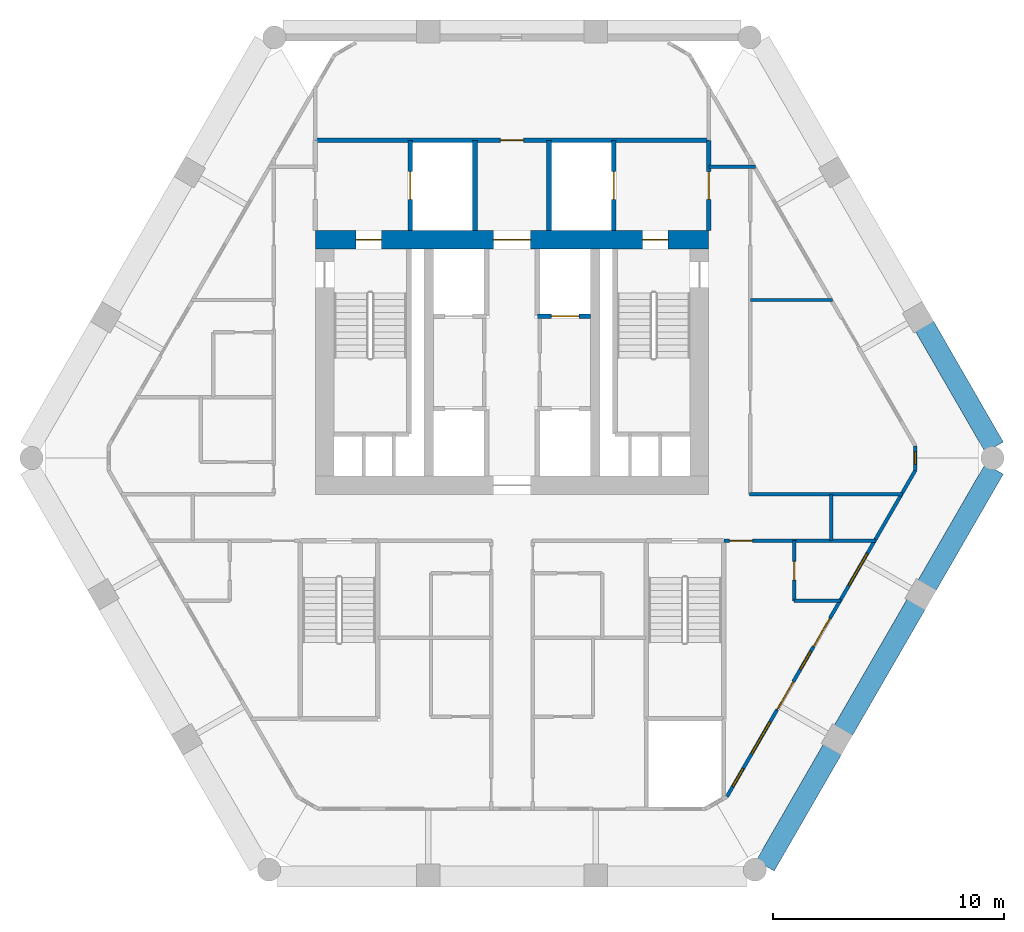
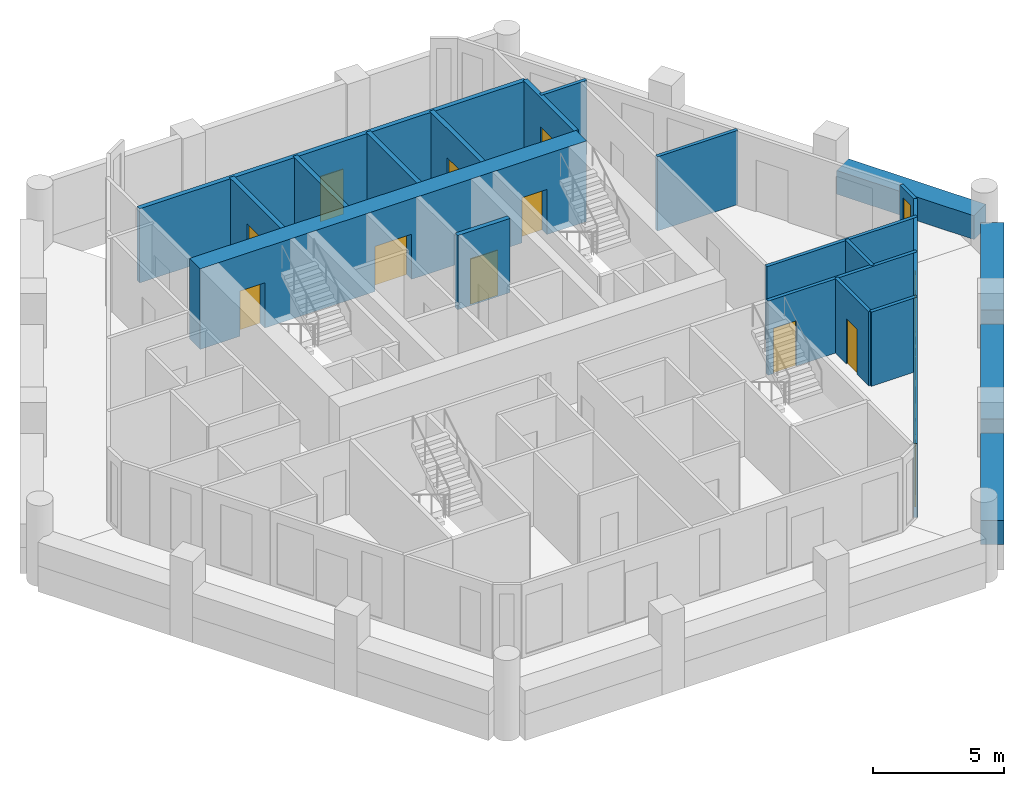
# One storey, part 5 of 7: 21 walls, 12 doors, 5 windows, 17 openings.
"""IFC4 building model written with IfcOpenShell, lengths in metres."""

import ifcopenshell
import ifcopenshell.guid

model = None  # the IFC model being written
_history = None  # IfcOwnerHistory: only IFC2X3 demands one
_inside = {}  # id of a spatial element -> (the spatial element, [elements in it])
_under = {}  # id of a project, library or spatial element -> (it, [spatial elements below it])
_declared = {}  # id of a project -> (the project, [libraries it declares])
_typed = {}  # id of a type object -> (the type object, [elements of that type])
_made_of = {}  # id of a material, layer set ... -> (it, [elements and type objects made of it])


def new_model(schema):
    """Start an empty IFC model of exactly this schema.

    Asked for "IFC4X3", IfcOpenShell would pick the latest addendum, in which some entities
    have other attributes; the version numbers below select the first issue.
    IFC2X3 requires an IfcOwnerHistory on every rooted entity: one is made here for all.
    """
    global model, _history
    if schema == "IFC4X3":
        model = ifcopenshell.file(schema_version=(4, 3, 0, 0))
    else:
        model = ifcopenshell.file(schema=schema)
    _inside.clear()
    _under.clear()
    _declared.clear()
    _typed.clear()
    _made_of.clear()
    _history = None
    if model.schema == "IFC2X3":
        org = make("IfcOrganization", Name="unknown")
        user = make(
            "IfcPersonAndOrganization",
            ThePerson=make("IfcPerson", FamilyName="unknown"),
            TheOrganization=org,
        )
        app = make(
            "IfcApplication",
            ApplicationDeveloper=org,
            Version="unknown",
            ApplicationFullName="unknown",
            ApplicationIdentifier="unknown",
        )
        _history = make(
            "IfcOwnerHistory",
            OwningUser=user,
            OwningApplication=app,
            ChangeAction="ADDED",
            CreationDate=0,
        )
    return model


def make(cls, **values):
    """One entity of the class cls with the attributes given. An attribute that is None is left unset."""
    return model.create_entity(
        cls, **{name: value for name, value in values.items() if value is not None}
    )


def rooted(cls, **values):
    """An entity with a GlobalId (a new one), such as an element, a storey or a relation."""
    return make(cls, GlobalId=ifcopenshell.guid.new(), OwnerHistory=_history, **values)


def si_unit(unit_type, name, prefix=None):
    """IfcSIUnit, for example si_unit("LENGTHUNIT", "METRE", prefix="MILLI")."""
    return make("IfcSIUnit", UnitType=unit_type, Prefix=prefix, Name=name)


def assignment(units):
    """IfcUnitAssignment: the units of a project."""
    return None if units is None else make("IfcUnitAssignment", Units=units)


def point(xyz):
    """IfcCartesianPoint."""
    return None if xyz is None else make("IfcCartesianPoint", Coordinates=xyz)


def direction(xyz):
    """IfcDirection."""
    return None if xyz is None else make("IfcDirection", DirectionRatios=xyz)


def frame(location, z_axis=None, x_axis=None):
    """IfcAxis2Placement3D, a coordinate frame: its origin and axes. An axis left out is left unset."""
    return make(
        "IfcAxis2Placement3D",
        Location=point(location),
        Axis=direction(z_axis),
        RefDirection=direction(x_axis),
    )


def frame_2d(location, x_axis=None):
    """IfcAxis2Placement2D, a coordinate frame in the plane: its origin and x axis."""
    return make(
        "IfcAxis2Placement2D", Location=point(location), RefDirection=direction(x_axis)
    )


def origin():
    """The frame at (0, 0, 0) with its axes left unset."""
    return frame((0.0, 0.0, 0.0))


def place(relative_to, where):
    """IfcLocalPlacement: puts the frame where relative to a parent placement (None: the world)."""
    return make(
        "IfcLocalPlacement", PlacementRelTo=relative_to, RelativePlacement=where
    )


def context(
    kind, dimensions, precision=None, world=None, true_north=None, identifier=None
):
    """IfcGeometricRepresentationContext, for example the 3D "Model" context."""
    return make(
        "IfcGeometricRepresentationContext",
        ContextIdentifier=identifier,
        ContextType=kind,
        CoordinateSpaceDimension=dimensions,
        Precision=precision,
        WorldCoordinateSystem=world,
        TrueNorth=true_north,
    )


def subcontext(parent, identifier, kind, view, scale=None):
    """IfcGeometricRepresentationSubContext, for example "Body" below "Model"."""
    return make(
        "IfcGeometricRepresentationSubContext",
        ContextIdentifier=identifier,
        ContextType=kind,
        ParentContext=parent,
        TargetScale=scale,
        TargetView=view,
    )


def project(units=None, contexts=None):
    """IfcProject with its units and contexts."""
    return rooted(
        "IfcProject",
        Name="project",
        RepresentationContexts=contexts,
        UnitsInContext=assignment(units),
    )


def spatial(cls, under=None, at=None, **own):
    """A site, building, storey or space (cls), placed at a placement, below another one or the project."""
    s = rooted(cls, ObjectPlacement=at, **own)
    if under is not None:
        _under.setdefault(under.id(), (under, []))[1].append(s)
    return s


def profile(cls, at=None, kind="AREA", **sizes):
    """A parametric profile (cls). Its sizes go by their IFC names, for example OverallWidth=200.0."""
    return make(cls, ProfileType=kind, Position=at, **sizes)


def rectangle(**sizes):
    """IfcRectangleProfileDef."""
    return profile("IfcRectangleProfileDef", **sizes)


def extrude(swept, where, along, depth):
    """IfcExtrudedAreaSolid: the profile swept, set in the frame where, extruded along a direction by depth."""
    return make(
        "IfcExtrudedAreaSolid",
        SweptArea=swept,
        Position=where,
        ExtrudedDirection=direction(along),
        Depth=depth,
    )


def shape(context_of_items, identifier, shape_type, items):
    """IfcShapeRepresentation: the items that make up one representation, for example the "Body"."""
    return make(
        "IfcShapeRepresentation",
        ContextOfItems=context_of_items,
        RepresentationIdentifier=identifier,
        RepresentationType=shape_type,
        Items=items,
    )


def material(Name=None, Category=None):
    """IfcMaterial."""
    return make("IfcMaterial", Name=Name, Category=Category)


def layer(
    of_material, thickness, ventilated=None, Name=None, Category=None, Priority=None
):
    """IfcMaterialLayer: one layer of a wall or slab, of a material (None: an air gap)."""
    return make(
        "IfcMaterialLayer",
        Material=of_material,
        LayerThickness=thickness,
        IsVentilated=ventilated,
        Name=Name,
        Category=Category,
        Priority=Priority,
    )


def layer_set(layers, Name=None):
    """IfcMaterialLayerSet."""
    return make("IfcMaterialLayerSet", MaterialLayers=layers, LayerSetName=Name)


def made_of(thing, what):
    """Note that an element or type object is made of a material, layer set ...; save() writes the relation."""
    if what is not None:
        _made_of.setdefault(what.id(), (what, []))[1].append(thing)
    return thing


def type_object(cls, material=None, **own):
    """A type object (cls), such as IfcWallType, which elements share."""
    return made_of(rooted(cls, **own), material)


def element(
    cls,
    number,
    at=None,
    inside=None,
    cuts=None,
    type_object=None,
    material=None,
    context=None,
    identifier="Body",
    shape_type=None,
    held_by="IfcProductDefinitionShape",
    body=None,
    shapes=None,
    **own,
):
    """One element of the class cls, such as IfcWall. Its Tag is "e" and its number.

    at: its placement. inside: the storey or other place that contains it. cuts: it is an
    opening in that element (IfcRelVoidsElement). A single representation is given by context,
    identifier, shape_type and body (its items); several are given by shapes. held_by: the class
    of the entity that holds the representations. save() writes the other relations.
    """
    e = rooted(cls, Tag="e%d" % number, ObjectPlacement=at, **own)
    if body is not None:
        shapes = [shape(context, identifier, shape_type, body)]
    if shapes is not None:
        e.Representation = make(held_by, Representations=shapes)
    if inside is not None:
        _inside.setdefault(inside.id(), (inside, []))[1].append(e)
    if cuts is not None:
        rooted(
            "IfcRelVoidsElement", RelatingBuildingElement=cuts, RelatedOpeningElement=e
        )
    if type_object is not None:
        _typed.setdefault(type_object.id(), (type_object, []))[1].append(e)
    return made_of(e, material)


def fill(opening, filler):
    """IfcRelFillsElement: the door or window that sits in an opening."""
    return rooted(
        "IfcRelFillsElement",
        RelatingOpeningElement=opening,
        RelatedBuildingElement=filler,
    )


def aggregate(whole, parts):
    """IfcRelAggregates: a whole, such as a stair, and the parts it consists of."""
    return rooted("IfcRelAggregates", RelatingObject=whole, RelatedObjects=parts)


def save(model, path):
    """Write the relations noted so far, then the file.

    IfcRelAggregates (storeys below a building ...), IfcRelContainedInSpatialStructure (elements
    in a storey), IfcRelDefinesByType, IfcRelAssociatesMaterial and IfcRelDeclares: one each for
    every whole, place, type object, material and project.
    """
    for whole, parts in _under.values():
        aggregate(whole, parts)
    for where, things in _inside.values():
        rooted(
            "IfcRelContainedInSpatialStructure",
            RelatedElements=things,
            RelatingStructure=where,
        )
    for kind, things in _typed.values():
        rooted("IfcRelDefinesByType", RelatedObjects=things, RelatingType=kind)
    for what, things in _made_of.values():
        rooted("IfcRelAssociatesMaterial", RelatedObjects=things, RelatingMaterial=what)
    for by, libraries in _declared.values():
        rooted("IfcRelDeclares", RelatingContext=by, RelatedDefinitions=libraries)
    model.write(path)


model = new_model("IFC4")

# Units and contexts
model_context = context("Model", 3, precision=1e-05, world=origin(), true_north=direction((0.0, 1.0)))
body_context = subcontext(model_context, "Body", "Model", "MODEL_VIEW")
ifc_project = project(units=[si_unit("LENGTHUNIT", "METRE"), si_unit("AREAUNIT", "SQUARE_METRE"), si_unit("VOLUMEUNIT", "CUBIC_METRE"), si_unit("PLANEANGLEUNIT", "RADIAN"), si_unit("MASSUNIT", "GRAM", prefix="KILO")], contexts=[model_context])

# Site, building, storey
site_placement = place(None, origin())
site = spatial("IfcSite", under=ifc_project, at=site_placement, CompositionType="ELEMENT")
building_placement = place(site_placement, origin())
building = spatial("IfcBuilding", under=site, at=building_placement, Name="Ostrander Bayou Hotel Tower", CompositionType="ELEMENT")
storey_placement = place(building_placement, frame((0.0, 0.0, 157.0)))
storey = spatial("IfcBuildingStorey", under=building, at=storey_placement, Name="L38", CompositionType="ELEMENT", Elevation=157.0)

# Wall, openings, doors
ifc_material_1 = material(Name="Concrete f'c 60 MPa", Category="concrete")
ifc_layer_1 = layer(ifc_material_1, 0.800048828125)
ifc_layer_set_1 = layer_set([ifc_layer_1], Name="CW7 core wall 800 mm f'c 60 MPa")
wall_type_1 = type_object("IfcWallType", Name="CW7 core wall 800 mm f'c 60 MPa", PredefinedType="SHEAR", material=ifc_layer_set_1)
wall_1_placement = place(storey_placement, frame((-8.5, 9.300048828125, -0.300048828125), z_axis=(0.0, 0.0, 1.0), x_axis=(1.0, 0.0, 0.0)))
wall_1 = element("IfcWall", 1, at=wall_1_placement, inside=storey, type_object=wall_type_1, Name="CW7 L38 N", PredefinedType="SHEAR", context=body_context, shape_type="SweptSolid", body=[
    extrude(rectangle(XDim=17.0, YDim=0.800048828125, at=frame_2d((8.5, 0.0))), origin(), (0.0, 0.0, 1.0), 3.75),
])
opening_1_placement = place(wall_1_placement, frame((7.699951171875, 0.0, 0.0)))
opening_1 = element("IfcOpeningElement", 2, at=opening_1_placement, cuts=wall_1, Name="Opening T38-006", PredefinedType="OPENING", context=body_context, shape_type="SweptSolid", body=[
    extrude(rectangle(XDim=1.60009765625, YDim=2.10009765625, at=frame_2d((0.800048828125, 1.050048828125))), frame((0.0, 0.39990234375, 0.0), z_axis=(0.0, -1.0, 0.0), x_axis=(1.0, 0.0, 0.0)), (0.0, 0.0, 1.0), 0.800048828125),
])
opening_2_placement = place(wall_1_placement, frame((1.75, 0.0, 0.0)))
opening_2 = element("IfcOpeningElement", 3, at=opening_2_placement, cuts=wall_1, Name="Opening T38-007", PredefinedType="OPENING", context=body_context, shape_type="SweptSolid", body=[
    extrude(rectangle(XDim=1.10009765625, YDim=2.10009765625, at=frame_2d((0.550048828125, 1.050048828125))), frame((0.0, 0.39990234375, 0.0), z_axis=(0.0, -1.0, 0.0), x_axis=(1.0, 0.0, 0.0)), (0.0, 0.0, 1.0), 0.800048828125),
])
opening_3_placement = place(wall_1_placement, frame((14.14990234375, 0.0, 0.0)))
opening_3 = element("IfcOpeningElement", 4, at=opening_3_placement, cuts=wall_1, Name="Opening T38-009", PredefinedType="OPENING", context=body_context, shape_type="SweptSolid", body=[
    extrude(rectangle(XDim=1.10009765625, YDim=2.10009765625, at=frame_2d((0.550048828125, 1.050048828125))), frame((0.0, 0.39990234375, 0.0), z_axis=(0.0, -1.0, 0.0), x_axis=(1.0, 0.0, 0.0)), (0.0, 0.0, 1.0), 0.800048828125),
])
ifc_material_2 = material(Name="Timber door leaf", Category="wood")
door_type_1 = type_object("IfcDoorType", Name="D13 double door 1600 x 2100 mm, 1 hour", OperationType="SINGLE_SWING_LEFT", PredefinedType="DOOR", material=ifc_material_2)
door_1_placement = place(opening_1_placement, origin())
door_1 = element("IfcDoor", 5, at=door_1_placement, inside=storey, type_object=door_type_1, Name="dr:L38:006", OperationType="DOUBLE_DOOR_SINGLE_SWING", OverallHeight=2.10009765625, OverallWidth=1.60009765625, PredefinedType="DOOR", context=body_context, shape_type="SweptSolid", body=[
    extrude(rectangle(XDim=1.60009765625, YDim=2.10009765625, at=frame_2d((0.800048828125, 1.050048828125))), frame((0.0, 0.02490234375, 0.0), z_axis=(0.0, -1.0, 0.0), x_axis=(1.0, 0.0, 0.0)), (0.0, 0.0, 1.0), 0.050048828125),
])
fill(opening_1, door_1)
ifc_material_3 = material(Name="Timber door leaf", Category="wood")
door_type_2 = type_object("IfcDoorType", Name="D5 stair door 1100 x 2100 mm, 90 minute", OperationType="SINGLE_SWING_LEFT", PredefinedType="DOOR", material=ifc_material_3)
door_2_placement = place(opening_2_placement, origin())
door_2 = element("IfcDoor", 6, at=door_2_placement, inside=storey, type_object=door_type_2, Name="dr:L38:007", OperationType="SINGLE_SWING_LEFT", OverallHeight=2.10009765625, OverallWidth=1.10009765625, PredefinedType="DOOR", context=body_context, shape_type="SweptSolid", body=[
    extrude(rectangle(XDim=1.10009765625, YDim=2.10009765625, at=frame_2d((0.550048828125, 1.050048828125))), frame((0.0, 0.02490234375, 0.0), z_axis=(0.0, -1.0, 0.0), x_axis=(1.0, 0.0, 0.0)), (0.0, 0.0, 1.0), 0.050048828125),
])
fill(opening_2, door_2)
door_3_placement = place(opening_3_placement, origin())
door_3 = element("IfcDoor", 7, at=door_3_placement, inside=storey, type_object=door_type_2, Name="dr:L38:009", OperationType="SINGLE_SWING_RIGHT", OverallHeight=2.10009765625, OverallWidth=1.10009765625, PredefinedType="DOOR", context=body_context, shape_type="SweptSolid", body=[
    extrude(rectangle(XDim=1.10009765625, YDim=2.10009765625, at=frame_2d((0.550048828125, 1.050048828125))), frame((0.0, 0.02490234375, 0.0), z_axis=(0.0, -1.0, 0.0), x_axis=(1.0, 0.0, 0.0)), (0.0, 0.0, 1.0), 0.050048828125),
])
fill(opening_3, door_3)

# Wall, openings, doors, windows
ifc_material_4 = material(Name="Aluminium framed insulated wall", Category="aluminium")
ifc_layer_2 = layer(ifc_material_4, 0.14990234375)
ifc_layer_set_2 = layer_set([ifc_layer_2], Name="GW1 glass-line wall 150 mm")
wall_type_2 = type_object("IfcWallType", Name="GW1 glass-line wall 150 mm", PredefinedType="SOLIDWALL", material=ifc_layer_set_2)
wall_2_placement = place(storey_placement, frame((9.288818359375, -14.76171875, 0.0), z_axis=(0.0, 0.0, 1.0), x_axis=(0.499985985267, 0.866033495043, 0.0)))
wall_2 = element("IfcWall", 8, at=wall_2_placement, inside=storey, type_object=wall_type_2, Name="GW1 L38 SE 1", PredefinedType="SOLIDWALL", context=body_context, shape_type="SweptSolid", body=[
    extrude(rectangle(XDim=16.279296875, YDim=0.14990234375, at=frame_2d((8.1396484375, 0.0))), origin(), (0.0, 0.0, 1.0), 3.449951171875),
])
opening_4_placement = place(wall_2_placement, frame((2.1396484375, 0.0, 0.14990234375)))
opening_4 = element("IfcOpeningElement", 9, at=opening_4_placement, cuts=wall_2, Name="Opening W3", PredefinedType="OPENING", context=body_context, shape_type="SweptSolid", body=[
    extrude(rectangle(XDim=1.60009765625, YDim=2.85009765625, at=frame_2d((0.800048828125, 1.425048828125))), frame((0.0, 0.074951171875, 0.0), z_axis=(0.0, -1.0, 0.0), x_axis=(1.0, 0.0, 0.0)), (0.0, 0.0, 1.0), 0.14990234375),
])
opening_5_placement = place(wall_2_placement, frame((4.339599609375, 0.0, 0.0)))
opening_5 = element("IfcOpeningElement", 10, at=opening_5_placement, cuts=wall_2, Name="Opening T38-804", PredefinedType="OPENING", context=body_context, shape_type="SweptSolid", body=[
    extrude(rectangle(XDim=1.39990234375, YDim=2.39990234375, at=frame_2d((0.699951171875, 1.199951171875))), frame((0.0, 0.074951171875, 0.0), z_axis=(0.0, -1.0, 0.0), x_axis=(1.0, 0.0, 0.0)), (0.0, 0.0, 1.0), 0.14990234375),
])
opening_6_placement = place(wall_2_placement, frame((6.339599609375, 0.0, 0.14990234375)))
opening_6 = element("IfcOpeningElement", 11, at=opening_6_placement, cuts=wall_2, Name="Opening W17", PredefinedType="OPENING", context=body_context, shape_type="SweptSolid", body=[
    extrude(rectangle(XDim=0.89990234375, YDim=2.85009765625, at=frame_2d((0.449951171875, 1.425048828125))), frame((0.0, 0.074951171875, 0.0), z_axis=(0.0, -1.0, 0.0), x_axis=(1.0, 0.0, 0.0)), (0.0, 0.0, 1.0), 0.14990234375),
])
opening_7_placement = place(wall_2_placement, frame((7.49658203125, 0.0, 0.0)))
opening_7 = element("IfcOpeningElement", 12, at=opening_7_placement, cuts=wall_2, Name="Opening T38-805", PredefinedType="OPENING", context=body_context, shape_type="SweptSolid", body=[
    extrude(rectangle(XDim=1.39990234375, YDim=2.39990234375, at=frame_2d((0.699951171875, 1.199951171875))), frame((0.0, 0.074951171875, 0.0), z_axis=(0.0, -1.0, 0.0), x_axis=(1.0, 0.0, 0.0)), (0.0, 0.0, 1.0), 0.14990234375),
])
opening_8_placement = place(wall_2_placement, frame((10.53955078125, 0.0, 0.14990234375)))
opening_8 = element("IfcOpeningElement", 13, at=opening_8_placement, cuts=wall_2, Name="Opening W3", PredefinedType="OPENING", context=body_context, shape_type="SweptSolid", body=[
    extrude(rectangle(XDim=1.60009765625, YDim=2.85009765625, at=frame_2d((0.800048828125, 1.425048828125))), frame((0.0, 0.074951171875, 0.0), z_axis=(0.0, -1.0, 0.0), x_axis=(1.0, 0.0, 0.0)), (0.0, 0.0, 1.0), 0.14990234375),
])
opening_9_placement = place(wall_2_placement, frame((0.501708984375, 0.0, 0.14990234375)))
opening_9 = element("IfcOpeningElement", 14, at=opening_9_placement, cuts=wall_2, Name="Opening W17", PredefinedType="OPENING", context=body_context, shape_type="SweptSolid", body=[
    extrude(rectangle(XDim=0.89990234375, YDim=2.72998046875, at=frame_2d((0.449951171875, 1.364990234375))), frame((0.0, 0.074951171875, 0.0), z_axis=(0.0, -1.0, 0.0), x_axis=(1.0, 0.0, 0.0)), (0.0, 0.0, 1.0), 0.14990234375),
])
ifc_material_5 = material(Name="Aluminium and clear glass", Category="aluminium")
door_type_3 = type_object("IfcDoorType", Name="SD3 sliding glass door 1400 mm, zone 3", OperationType="SLIDING_TO_LEFT", PredefinedType="DOOR", material=ifc_material_5)
door_4_placement = place(opening_5_placement, origin())
door_4 = element("IfcDoor", 15, at=door_4_placement, inside=storey, type_object=door_type_3, Name="SD3 L38 SE 1", OperationType="SLIDING_TO_LEFT", OverallHeight=2.39990234375, OverallWidth=1.39990234375, PredefinedType="DOOR", context=body_context, shape_type="SweptSolid", body=[
    extrude(rectangle(XDim=1.39990234375, YDim=2.39990234375, at=frame_2d((0.699951171875, 1.199951171875))), frame((0.0, 0.02490234375, 0.0), z_axis=(0.0, -1.0, 0.0), x_axis=(1.0, 0.0, 0.0)), (0.0, 0.0, 1.0), 0.050048828125),
])
fill(opening_5, door_4)
door_5_placement = place(opening_7_placement, origin())
door_5 = element("IfcDoor", 16, at=door_5_placement, inside=storey, type_object=door_type_3, Name="SD3 L38 SE 2", OperationType="SLIDING_TO_RIGHT", OverallHeight=2.39990234375, OverallWidth=1.39990234375, PredefinedType="DOOR", context=body_context, shape_type="SweptSolid", body=[
    extrude(rectangle(XDim=1.39990234375, YDim=2.39990234375, at=frame_2d((0.699951171875, 1.199951171875))), frame((0.0, 0.02490234375, 0.0), z_axis=(0.0, -1.0, 0.0), x_axis=(1.0, 0.0, 0.0)), (0.0, 0.0, 1.0), 0.050048828125),
])
fill(opening_7, door_5)
ifc_material_6 = material(Name="Aluminium and clear glass", Category="aluminium")
window_type_1 = type_object("IfcWindowType", Name="W17 window 900 mm, zone 3", PartitioningType="SINGLE_PANEL", PredefinedType="WINDOW", material=ifc_material_6)
window_1_placement = place(opening_6_placement, origin())
window_1 = element("IfcWindow", 17, at=window_1_placement, inside=storey, type_object=window_type_1, Name="W17 L38 SE 2", OverallHeight=2.85009765625, OverallWidth=0.89990234375, PartitioningType="SINGLE_PANEL", PredefinedType="WINDOW", context=body_context, shape_type="SweptSolid", body=[
    extrude(rectangle(XDim=0.89990234375, YDim=2.85009765625, at=frame_2d((0.449951171875, 1.425048828125))), frame((0.0, 0.030029296875, 0.0), z_axis=(0.0, -1.0, 0.0), x_axis=(1.0, 0.0, 0.0)), (0.0, 0.0, 1.0), 0.06005859375),
])
fill(opening_6, window_1)
window_2_placement = place(opening_9_placement, origin())
window_2 = element("IfcWindow", 18, at=window_2_placement, inside=storey, type_object=window_type_1, Name="W17 L38 SE E11", OverallHeight=2.72998046875, OverallWidth=0.89990234375, PartitioningType="SINGLE_PANEL", PredefinedType="WINDOW", context=body_context, shape_type="SweptSolid", body=[
    extrude(rectangle(XDim=0.89990234375, YDim=2.72998046875, at=frame_2d((0.449951171875, 1.364990234375))), frame((0.0, 0.030029296875, 0.0), z_axis=(0.0, -1.0, 0.0), x_axis=(1.0, 0.0, 0.0)), (0.0, 0.0, 1.0), 0.06005859375),
])
fill(opening_9, window_2)
ifc_material_7 = material(Name="Aluminium and clear glass", Category="aluminium")
window_type_2 = type_object("IfcWindowType", Name="W3 fixed window 1600 mm, zone 3", PartitioningType="SINGLE_PANEL", PredefinedType="WINDOW", material=ifc_material_7)
window_3_placement = place(opening_4_placement, origin())
window_3 = element("IfcWindow", 19, at=window_3_placement, inside=storey, type_object=window_type_2, Name="W3 L38 SE 1", OverallHeight=2.85009765625, OverallWidth=1.60009765625, PartitioningType="SINGLE_PANEL", PredefinedType="WINDOW", context=body_context, shape_type="SweptSolid", body=[
    extrude(rectangle(XDim=1.60009765625, YDim=2.85009765625, at=frame_2d((0.800048828125, 1.425048828125))), frame((0.0, 0.030029296875, 0.0), z_axis=(0.0, -1.0, 0.0), x_axis=(1.0, 0.0, 0.0)), (0.0, 0.0, 1.0), 0.06005859375),
])
fill(opening_4, window_3)
window_4_placement = place(opening_8_placement, origin())
window_4 = element("IfcWindow", 20, at=window_4_placement, inside=storey, type_object=window_type_2, Name="W3 L38 SE 3", OverallHeight=2.85009765625, OverallWidth=1.60009765625, PartitioningType="SINGLE_PANEL", PredefinedType="WINDOW", context=body_context, shape_type="SweptSolid", body=[
    extrude(rectangle(XDim=1.60009765625, YDim=2.85009765625, at=frame_2d((0.800048828125, 1.425048828125))), frame((0.0, 0.030029296875, 0.0), z_axis=(0.0, -1.0, 0.0), x_axis=(1.0, 0.0, 0.0)), (0.0, 0.0, 1.0), 0.06005859375),
])
fill(opening_8, window_4)

# Wall, opening, window
wall_3_placement = place(storey_placement, frame((17.42822265625, -0.663330078125, 0.0), z_axis=(0.0, 0.0, 1.0), x_axis=(0.0, 1.0, 0.0)))
wall_3 = element("IfcWall", 21, at=wall_3_placement, inside=storey, type_object=wall_type_2, Name="GW1 L38 corner 5", PredefinedType="SOLIDWALL", context=body_context, shape_type="SweptSolid", body=[
    extrude(rectangle(XDim=1.06494140625, YDim=0.14990234375, at=frame_2d((0.532470703125, 0.0))), origin(), (0.0, 0.0, 1.0), 3.449951171875),
])
opening_10_placement = place(wall_3_placement, frame((0.257568359375, 0.0, 0.14990234375)))
opening_10 = element("IfcOpeningElement", 22, at=opening_10_placement, cuts=wall_3, Name="Opening W19", PredefinedType="OPENING", context=body_context, shape_type="SweptSolid", body=[
    extrude(rectangle(XDim=0.550048828125, YDim=2.85009765625, at=frame_2d((0.27490234375, 1.425048828125))), frame((0.0, 0.074951171875, 0.0), z_axis=(0.0, -1.0, 0.0), x_axis=(1.0, 0.0, 0.0)), (0.0, 0.0, 1.0), 0.14990234375),
])
ifc_material_8 = material(Name="Aluminium and clear glass", Category="aluminium")
window_type_3 = type_object("IfcWindowType", Name="W19 corner window 550 mm", PartitioningType="SINGLE_PANEL", PredefinedType="WINDOW", material=ifc_material_8)
window_5_placement = place(opening_10_placement, origin())
window_5 = element("IfcWindow", 23, at=window_5_placement, inside=storey, type_object=window_type_3, Name="W19 L38 corner 5", OverallHeight=2.85009765625, OverallWidth=0.550048828125, PartitioningType="SINGLE_PANEL", PredefinedType="WINDOW", context=body_context, shape_type="SweptSolid", body=[
    extrude(rectangle(XDim=0.550048828125, YDim=2.85009765625, at=frame_2d((0.27490234375, 1.425048828125))), frame((0.0, 0.030029296875, 0.0), z_axis=(0.0, -1.0, 0.0), x_axis=(1.0, 0.0, 0.0)), (0.0, 0.0, 1.0), 0.06005859375),
])
fill(opening_10, window_5)

# Walls
ifc_material_9 = material(Name="Concrete f'c 40 MPa", Category="concrete")
ifc_layer_3 = layer(ifc_material_9, 0.89990234375)
ifc_layer_set_3 = layer_set([ifc_layer_3], Name="PA1 stone-faced parapet 900 mm")
wall_type_3 = type_object("IfcWallType", Name="PA1 stone-faced parapet 900 mm", PredefinedType="PARAPET", material=ifc_layer_set_3)
wall_4_placement = place(storey_placement, frame((20.842041015625, 0.3388671875, 0.0), z_axis=(0.0, 0.0, 1.0), x_axis=(-0.500012890865, 0.866017961112, 0.0)))
element("IfcWall", 24, at=wall_4_placement, inside=storey, type_object=wall_type_3, Name="PA1 L38 NE-1", PredefinedType="PARAPET", context=body_context, shape_type="SweptSolid", body=[
    extrude(rectangle(XDim=6.039306640625, YDim=0.89990234375, at=frame_2d((3.01953125, 0.0))), origin(), (0.0, 0.0, 1.0), 1.10009765625),
])
ifc_material_10 = material(Name="Limestone masonry", Category="masonry")
ifc_layer_4 = layer(ifc_material_10, 0.89990234375)
ifc_layer_set_4 = layer_set([ifc_layer_4], Name="PA2 limestone parapet 900 mm")
wall_type_4 = type_object("IfcWallType", Name="PA2 limestone parapet 900 mm", PredefinedType="PARAPET", material=ifc_layer_set_4)
wall_5_placement = place(storey_placement, frame((10.941162109375, -17.74951171875, 0.0), z_axis=(0.0, 0.0, 1.0), x_axis=(0.499969679245, 0.866042908773, 0.0)))
element("IfcWall", 25, at=wall_5_placement, inside=storey, type_object=wall_type_4, Name="PA2 L38 SE-1", PredefinedType="PARAPET", context=body_context, shape_type="SweptSolid", body=[
    extrude(rectangle(XDim=5.812744140625, YDim=0.89990234375, at=frame_2d((2.90625, 0.0))), origin(), (0.0, 0.0, 1.0), 1.10009765625),
])
wall_6_placement = place(storey_placement, frame((14.3173828125, -11.9013671875, 0.0), z_axis=(0.0, 0.0, 1.0), x_axis=(0.500013351051, 0.866017695414, 0.0)))
element("IfcWall", 26, at=wall_6_placement, inside=storey, type_object=wall_type_4, Name="PA2 L38 SE-2", PredefinedType="PARAPET", context=body_context, shape_type="SweptSolid", body=[
    extrude(rectangle(XDim=6.296142578125, YDim=0.89990234375, at=frame_2d((3.14794921875, 0.0))), origin(), (0.0, 0.0, 1.0), 1.10009765625),
])
wall_7_placement = place(storey_placement, frame((17.935546875, -5.634521484375, 0.0), z_axis=(0.0, 0.0, 1.0), x_axis=(0.500019366424, 0.866014222285, 0.0)))
element("IfcWall", 27, at=wall_7_placement, inside=storey, type_object=wall_type_4, Name="PA2 L38 SE-3", PredefinedType="PARAPET", context=body_context, shape_type="SweptSolid", body=[
    extrude(rectangle(XDim=5.812744140625, YDim=0.89990234375, at=frame_2d((2.90625, 0.0))), origin(), (0.0, 0.0, 1.0), 1.10009765625),
])

# Wall, opening, door
ifc_material_11 = material(Name="Masonry block", Category="masonry")
ifc_layer_5 = layer(ifc_material_11, 0.199951171875)
ifc_layer_set_5 = layer_set([ifc_layer_5], Name="PT5 stair enclosure wall 200 mm masonry, 2 hour")
wall_type_5 = type_object("IfcWallType", Name="PT5 stair enclosure wall 200 mm masonry, 2 hour", PredefinedType="PARTITIONING", material=ifc_layer_set_5)
wall_8_placement = place(storey_placement, frame((-8.5, 13.60009765625, 0.0), z_axis=(0.0, 0.0, 1.0), x_axis=(1.0, 0.0, 0.0)))
wall_8 = element("IfcWall", 28, at=wall_8_placement, inside=storey, type_object=wall_type_5, Name="cs:L38:027", PredefinedType="PARTITIONING", context=body_context, shape_type="SweptSolid", body=[
    extrude(rectangle(XDim=17.0, YDim=0.199951171875, at=frame_2d((8.5, 0.0))), origin(), (0.0, 0.0, 1.0), 3.449951171875),
])
opening_11_placement = place(wall_8_placement, frame((8.0, 0.0, 0.0)))
opening_11 = element("IfcOpeningElement", 29, at=opening_11_placement, cuts=wall_8, Name="Opening T38-017", PredefinedType="OPENING", context=body_context, shape_type="SweptSolid", body=[
    extrude(rectangle(XDim=1.0, YDim=2.10009765625, at=frame_2d((0.5, 1.050048828125))), frame((0.0, 0.10009765625, 0.0), z_axis=(0.0, -1.0, 0.0), x_axis=(1.0, 0.0, 0.0)), (0.0, 0.0, 1.0), 0.199951171875),
])
ifc_material_12 = material(Name="Timber door leaf", Category="wood")
door_type_4 = type_object("IfcDoorType", Name="D9 service door 1000 x 2100 mm, 30 minute", OperationType="SINGLE_SWING_LEFT", PredefinedType="DOOR", material=ifc_material_12)
door_6_placement = place(opening_11_placement, origin())
door_6 = element("IfcDoor", 30, at=door_6_placement, inside=storey, type_object=door_type_4, Name="dr:L38:017", OperationType="SINGLE_SWING_LEFT", OverallHeight=2.10009765625, OverallWidth=1.0, PredefinedType="DOOR", context=body_context, shape_type="SweptSolid", body=[
    extrude(rectangle(XDim=1.0, YDim=2.10009765625, at=frame_2d((0.5, 1.050048828125))), frame((0.0, 0.02490234375, 0.0), z_axis=(0.0, -1.0, 0.0), x_axis=(1.0, 0.0, 0.0)), (0.0, 0.0, 1.0), 0.050048828125),
])
fill(opening_11, door_6)

wall_9_placement = place(storey_placement, frame((8.5, 9.699951171875, 0.0), z_axis=(0.0, 0.0, 1.0), x_axis=(0.0, 1.0, 0.0)))
wall_9 = element("IfcWall", 31, at=wall_9_placement, inside=storey, type_object=wall_type_5, Name="cs:L38:029", PredefinedType="PARTITIONING", context=body_context, shape_type="SweptSolid", body=[
    extrude(rectangle(XDim=3.900146484375, YDim=0.199951171875, at=frame_2d((1.9501953125, 0.0))), origin(), (0.0, 0.0, 1.0), 3.449951171875),
])
opening_12_placement = place(wall_9_placement, frame((1.35009765625, 0.0, 0.0)))
opening_12 = element("IfcOpeningElement", 32, at=opening_12_placement, cuts=wall_9, Name="Opening T38-016", PredefinedType="OPENING", context=body_context, shape_type="SweptSolid", body=[
    extrude(rectangle(XDim=1.199951171875, YDim=2.10009765625, at=frame_2d((0.60009765625, 1.050048828125))), frame((0.0, 0.10009765625, 0.0), z_axis=(0.0, -1.0, 0.0), x_axis=(1.0, 0.0, 0.0)), (0.0, 0.0, 1.0), 0.199951171875),
])
ifc_material_13 = material(Name="Timber door leaf", Category="wood")
door_type_5 = type_object("IfcDoorType", Name="D7 lobby door 1200 x 2100 mm, 1 hour", OperationType="SINGLE_SWING_LEFT", PredefinedType="DOOR", material=ifc_material_13)
door_7_placement = place(opening_12_placement, origin())
door_7 = element("IfcDoor", 33, at=door_7_placement, inside=storey, type_object=door_type_5, Name="dr:L38:016", OperationType="SINGLE_SWING_LEFT", OverallHeight=2.10009765625, OverallWidth=1.199951171875, PredefinedType="DOOR", context=body_context, shape_type="SweptSolid", body=[
    extrude(rectangle(XDim=1.199951171875, YDim=2.10009765625, at=frame_2d((0.60009765625, 1.050048828125))), frame((0.0, 0.02490234375, 0.0), z_axis=(0.0, -1.0, 0.0), x_axis=(1.0, 0.0, 0.0)), (0.0, 0.0, 1.0), 0.050048828125),
])
fill(opening_12, door_7)

wall_10_placement = place(storey_placement, frame((-4.39990234375, 9.699951171875, 0.0), z_axis=(0.0, 0.0, 1.0), x_axis=(0.0, 1.0, 0.0)))
wall_10 = element("IfcWall", 34, at=wall_10_placement, inside=storey, type_object=wall_type_5, Name="cs:L38:030", PredefinedType="PARTITIONING", context=body_context, shape_type="SweptSolid", body=[
    extrude(rectangle(XDim=3.900146484375, YDim=0.199951171875, at=frame_2d((1.9501953125, 0.0))), origin(), (0.0, 0.0, 1.0), 3.449951171875),
])
opening_13_placement = place(wall_10_placement, frame((1.35009765625, 0.0, 0.0)))
opening_13 = element("IfcOpeningElement", 35, at=opening_13_placement, cuts=wall_10, Name="Opening T38-013", PredefinedType="OPENING", context=body_context, shape_type="SweptSolid", body=[
    extrude(rectangle(XDim=1.199951171875, YDim=2.10009765625, at=frame_2d((0.60009765625, 1.050048828125))), frame((0.0, 0.10009765625, 0.0), z_axis=(0.0, -1.0, 0.0), x_axis=(1.0, 0.0, 0.0)), (0.0, 0.0, 1.0), 0.199951171875),
])
ifc_material_14 = material(Name="Stainless steel sliding door", Category="steel")
door_type_6 = type_object("IfcDoorType", Name="LD1 lift landing door 1200 x 2100 mm", OperationType="SINGLE_SWING_LEFT", PredefinedType="DOOR", material=ifc_material_14)
door_8_placement = place(opening_13_placement, origin())
door_8 = element("IfcDoor", 36, at=door_8_placement, inside=storey, type_object=door_type_6, Name="dr:L38:013", OperationType="SLIDING_TO_LEFT", OverallHeight=2.10009765625, OverallWidth=1.199951171875, PredefinedType="DOOR", context=body_context, shape_type="SweptSolid", body=[
    extrude(rectangle(XDim=1.199951171875, YDim=2.10009765625, at=frame_2d((0.60009765625, 1.050048828125))), frame((0.0, 0.02490234375, 0.0), z_axis=(0.0, -1.0, 0.0), x_axis=(1.0, 0.0, 0.0)), (0.0, 0.0, 1.0), 0.050048828125),
])
fill(opening_13, door_8)

wall_11_placement = place(storey_placement, frame((4.39990234375, 9.699951171875, 0.0), z_axis=(0.0, 0.0, 1.0), x_axis=(0.0, 1.0, 0.0)))
wall_11 = element("IfcWall", 37, at=wall_11_placement, inside=storey, type_object=wall_type_5, Name="cs:L38:031", PredefinedType="PARTITIONING", context=body_context, shape_type="SweptSolid", body=[
    extrude(rectangle(XDim=3.900146484375, YDim=0.199951171875, at=frame_2d((1.9501953125, 0.0))), origin(), (0.0, 0.0, 1.0), 3.449951171875),
])
opening_14_placement = place(wall_11_placement, frame((1.35009765625, 0.0, 0.0)))
opening_14 = element("IfcOpeningElement", 38, at=opening_14_placement, cuts=wall_11, Name="Opening T38-015", PredefinedType="OPENING", context=body_context, shape_type="SweptSolid", body=[
    extrude(rectangle(XDim=1.199951171875, YDim=2.10009765625, at=frame_2d((0.60009765625, 1.050048828125))), frame((0.0, 0.10009765625, 0.0), z_axis=(0.0, -1.0, 0.0), x_axis=(1.0, 0.0, 0.0)), (0.0, 0.0, 1.0), 0.199951171875),
])
door_9_placement = place(opening_14_placement, origin())
door_9 = element("IfcDoor", 39, at=door_9_placement, inside=storey, type_object=door_type_6, Name="dr:L38:015", OperationType="SLIDING_TO_LEFT", OverallHeight=2.10009765625, OverallWidth=1.199951171875, PredefinedType="DOOR", context=body_context, shape_type="SweptSolid", body=[
    extrude(rectangle(XDim=1.199951171875, YDim=2.10009765625, at=frame_2d((0.60009765625, 1.050048828125))), frame((0.0, 0.02490234375, 0.0), z_axis=(0.0, -1.0, 0.0), x_axis=(1.0, 0.0, 0.0)), (0.0, 0.0, 1.0), 0.050048828125),
])
fill(opening_14, door_9)

ifc_material_15 = material(Name="Masonry block", Category="masonry")
ifc_layer_6 = layer(ifc_material_15, 0.199951171875)
ifc_layer_set_6 = layer_set([ifc_layer_6], Name="PT6 lift shaft wall 200 mm masonry, 2 hour")
wall_type_6 = type_object("IfcWallType", Name="PT6 lift shaft wall 200 mm masonry, 2 hour", PredefinedType="PARTITIONING", material=ifc_layer_set_6)
wall_12_placement = place(storey_placement, frame((1.10009765625, 6.0, 0.0), z_axis=(0.0, 0.0, 1.0), x_axis=(1.0, 0.0, 0.0)))
wall_12 = element("IfcWall", 40, at=wall_12_placement, inside=storey, type_object=wall_type_6, Name="cs:L38:004", PredefinedType="PARTITIONING", context=body_context, shape_type="SweptSolid", body=[
    extrude(rectangle(XDim=2.2998046875, YDim=0.199951171875, at=frame_2d((1.14990234375, 0.0))), origin(), (0.0, 0.0, 1.0), 3.449951171875),
])
opening_15_placement = place(wall_12_placement, frame((0.60009765625, 0.0, 0.0)))
opening_15 = element("IfcOpeningElement", 41, at=opening_15_placement, cuts=wall_12, Name="Opening T38-004", PredefinedType="OPENING", context=body_context, shape_type="SweptSolid", body=[
    extrude(rectangle(XDim=1.199951171875, YDim=2.10009765625, at=frame_2d((0.60009765625, 1.050048828125))), frame((0.0, 0.10009765625, 0.0), z_axis=(0.0, -1.0, 0.0), x_axis=(1.0, 0.0, 0.0)), (0.0, 0.0, 1.0), 0.199951171875),
])
door_10_placement = place(opening_15_placement, origin())
door_10 = element("IfcDoor", 42, at=door_10_placement, inside=storey, type_object=door_type_6, Name="dr:L38:004", OperationType="SLIDING_TO_LEFT", OverallHeight=2.10009765625, OverallWidth=1.199951171875, PredefinedType="DOOR", context=body_context, shape_type="SweptSolid", body=[
    extrude(rectangle(XDim=1.199951171875, YDim=2.10009765625, at=frame_2d((0.60009765625, 1.050048828125))), frame((0.0, 0.02490234375, 0.0), z_axis=(0.0, -1.0, 0.0), x_axis=(1.0, 0.0, 0.0)), (0.0, 0.0, 1.0), 0.050048828125),
])
fill(opening_15, door_10)

# Walls
for number, where, z_axis, x_axis, name in (
    (43, (-1.60009765625, 9.699951171875, 0.0), (0.0, 0.0, 1.0), (0.0, 1.0, 0.0), "cs:L38:032"),
    (44, (1.60009765625, 9.699951171875, 0.0), (0.0, 0.0, 1.0), (0.0, 1.0, 0.0), "cs:L38:033"),
):
    element("IfcWall", number, at=place(storey_placement, frame(where, z_axis=z_axis, x_axis=x_axis)), inside=storey, type_object=wall_type_6, Name=name, PredefinedType="PARTITIONING", context=body_context, shape_type="SweptSolid", body=[
        extrude(rectangle(XDim=3.900146484375, YDim=0.199951171875, at=frame_2d((1.9501953125, 0.0))), origin(), (0.0, 0.0, 1.0), 3.449951171875),
    ])
ifc_material_16 = material(Name="Gypsum board partition", Category="finish")
ifc_layer_7 = layer(ifc_material_16, 0.14990234375)
ifc_layer_set_7 = layer_set([ifc_layer_7], Name="PT8 service band wall 150 mm, 1 hour")
wall_type_7 = type_object("IfcWallType", Name="PT8 service band wall 150 mm, 1 hour", PredefinedType="PARTITIONING", material=ifc_layer_set_7)
wall_13_placement = place(storey_placement, frame((12.195068359375, -6.300048828125, 0.0), z_axis=(0.0, 0.0, 1.0), x_axis=(1.0, 0.0, 0.0)))
element("IfcWall", 45, at=wall_13_placement, inside=storey, type_object=wall_type_7, Name="gw:L38:007", PredefinedType="PARTITIONING", context=body_context, shape_type="SweptSolid", body=[
    extrude(rectangle(XDim=2.031005859375, YDim=0.14990234375, at=frame_2d((1.015625, 0.0))), origin(), (0.0, 0.0, 1.0), 3.449951171875),
])

# Wall, opening, door
wall_14_placement = place(storey_placement, frame((9.159912109375, -3.699951171875, 0.0), z_axis=(0.0, 0.0, 1.0), x_axis=(1.0, 0.0, 0.0)))
wall_14 = element("IfcWall", 46, at=wall_14_placement, inside=storey, type_object=wall_type_7, Name="gw:L38:013", PredefinedType="PARTITIONING", context=body_context, shape_type="SweptSolid", body=[
    extrude(rectangle(XDim=6.567138671875, YDim=0.14990234375, at=frame_2d((3.28369140625, 0.0))), origin(), (0.0, 0.0, 1.0), 3.449951171875),
])
opening_16_placement = place(wall_14_placement, frame((0.239990234375, 0.0, 0.0)))
opening_16 = element("IfcOpeningElement", 47, at=opening_16_placement, cuts=wall_14, Name="Opening T38-410", PredefinedType="OPENING", context=body_context, shape_type="SweptSolid", body=[
    extrude(rectangle(XDim=1.0, YDim=2.10009765625, at=frame_2d((0.5, 1.050048828125))), frame((0.0, 0.074951171875, 0.0), z_axis=(0.0, -1.0, 0.0), x_axis=(1.0, 0.0, 0.0)), (0.0, 0.0, 1.0), 0.14990234375),
])
ifc_material_17 = material(Name="Timber door leaf", Category="wood")
door_type_7 = type_object("IfcDoorType", Name="D1 guest room door 1000 x 2100 mm, 30 minute", OperationType="SINGLE_SWING_LEFT", PredefinedType="DOOR", material=ifc_material_17)
door_11_placement = place(opening_16_placement, origin())
door_11 = element("IfcDoor", 48, at=door_11_placement, inside=storey, type_object=door_type_7, Name="dr:L38:410", OperationType="SINGLE_SWING_LEFT", OverallHeight=2.10009765625, OverallWidth=1.0, PredefinedType="DOOR", context=body_context, shape_type="SweptSolid", body=[
    extrude(rectangle(XDim=1.0, YDim=2.10009765625, at=frame_2d((0.5, 1.050048828125))), frame((0.0, 0.02490234375, 0.0), z_axis=(0.0, -1.0, 0.0), x_axis=(1.0, 0.0, 0.0)), (0.0, 0.0, 1.0), 0.050048828125),
])
fill(opening_16, door_11)

# Walls
wall_15_placement = place(storey_placement, frame((10.260009765625, -1.699951171875, 0.0), z_axis=(0.0, 0.0, 1.0), x_axis=(1.0, 0.0, 0.0)))
element("IfcWall", 49, at=wall_15_placement, inside=storey, type_object=wall_type_7, Name="gw:L38:015", PredefinedType="PARTITIONING", context=body_context, shape_type="SweptSolid", body=[
    extrude(rectangle(XDim=6.6220703125, YDim=0.14990234375, at=frame_2d((3.31103515625, 0.0))), origin(), (0.0, 0.0, 1.0), 3.449951171875),
])
wall_16_placement = place(storey_placement, frame((10.300048828125, 6.699951171875, 0.0), z_axis=(0.0, 0.0, 1.0), x_axis=(1.0, 0.0, 0.0)))
element("IfcWall", 50, at=wall_16_placement, inside=storey, type_object=wall_type_7, Name="gw:L38:020", PredefinedType="PARTITIONING", context=body_context, shape_type="SweptSolid", body=[
    extrude(rectangle(XDim=3.5439453125, YDim=0.14990234375, at=frame_2d((1.77197265625, 0.0))), origin(), (0.0, 0.0, 1.0), 3.449951171875),
])
wall_17_placement = place(storey_placement, frame((8.510009765625, 12.449951171875, 0.0), z_axis=(0.0, 0.0, 1.0), x_axis=(1.0, 0.0, 0.0)))
element("IfcWall", 51, at=wall_17_placement, inside=storey, type_object=wall_type_7, Name="gw:L38:022", PredefinedType="PARTITIONING", context=body_context, shape_type="SweptSolid", body=[
    extrude(rectangle(XDim=2.013916015625, YDim=0.14990234375, at=frame_2d((1.0068359375, 0.0))), origin(), (0.0, 0.0, 1.0), 3.449951171875),
])
wall_18_placement = place(storey_placement, frame((13.800048828125, -3.699951171875, 0.0), z_axis=(0.0, 0.0, 1.0), x_axis=(0.0, 1.0, 0.0)))
element("IfcWall", 52, at=wall_18_placement, inside=storey, type_object=wall_type_7, Name="gw:L38:023", PredefinedType="PARTITIONING", context=body_context, shape_type="SweptSolid", body=[
    extrude(rectangle(XDim=2.0, YDim=0.14990234375, at=frame_2d((1.0, 0.0))), origin(), (0.0, 0.0, 1.0), 3.449951171875),
])

# Wall, opening, door
wall_19_placement = place(storey_placement, frame((12.195068359375, -6.300048828125, 0.0), z_axis=(0.0, 0.0, 1.0), x_axis=(0.0, 1.0, 0.0)))
wall_19 = element("IfcWall", 53, at=wall_19_placement, inside=storey, type_object=wall_type_7, Name="gw:L38:024", PredefinedType="PARTITIONING", context=body_context, shape_type="SweptSolid", body=[
    extrude(rectangle(XDim=2.60009765625, YDim=0.14990234375, at=frame_2d((1.300048828125, 0.0))), origin(), (0.0, 0.0, 1.0), 3.449951171875),
])
opening_17_placement = place(wall_19_placement, frame((0.89990234375, 0.0, 0.0)))
opening_17 = element("IfcOpeningElement", 54, at=opening_17_placement, cuts=wall_19, Name="Opening T38-411", PredefinedType="OPENING", context=body_context, shape_type="SweptSolid", body=[
    extrude(rectangle(XDim=0.800048828125, YDim=2.10009765625, at=frame_2d((0.39990234375, 1.050048828125))), frame((0.0, 0.074951171875, 0.0), z_axis=(0.0, -1.0, 0.0), x_axis=(1.0, 0.0, 0.0)), (0.0, 0.0, 1.0), 0.14990234375),
])
ifc_material_18 = material(Name="Timber door leaf", Category="wood")
door_type_8 = type_object("IfcDoorType", Name="D2 bathroom door 800 x 2100 mm", OperationType="SINGLE_SWING_LEFT", PredefinedType="DOOR", material=ifc_material_18)
door_12_placement = place(opening_17_placement, origin())
door_12 = element("IfcDoor", 55, at=door_12_placement, inside=storey, type_object=door_type_8, Name="dr:L38:411", OperationType="SINGLE_SWING_RIGHT", OverallHeight=2.10009765625, OverallWidth=0.800048828125, PredefinedType="DOOR", context=body_context, shape_type="SweptSolid", body=[
    extrude(rectangle(XDim=0.800048828125, YDim=2.10009765625, at=frame_2d((0.39990234375, 1.050048828125))), frame((0.0, 0.02490234375, 0.0), z_axis=(0.0, -1.0, 0.0), x_axis=(1.0, 0.0, 0.0)), (0.0, 0.0, 1.0), 0.050048828125),
])
fill(opening_17, door_12)

save(model, "model.ifc")
